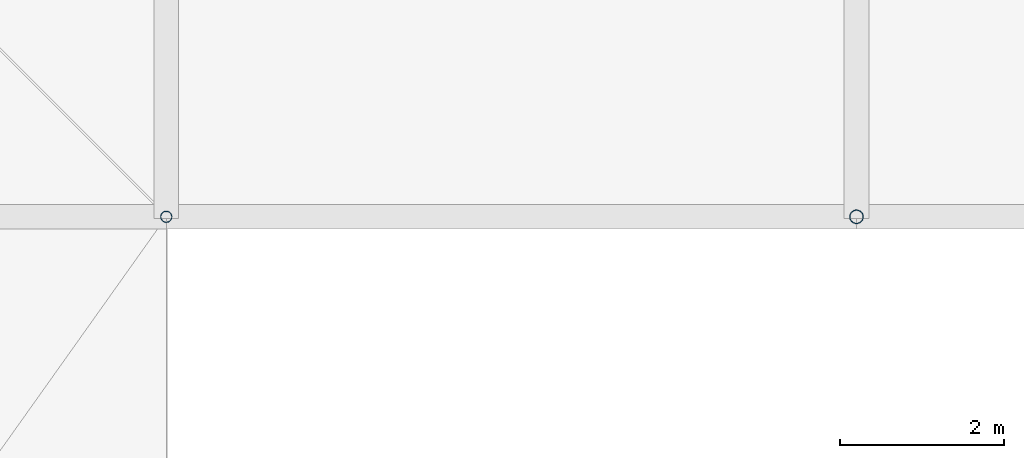
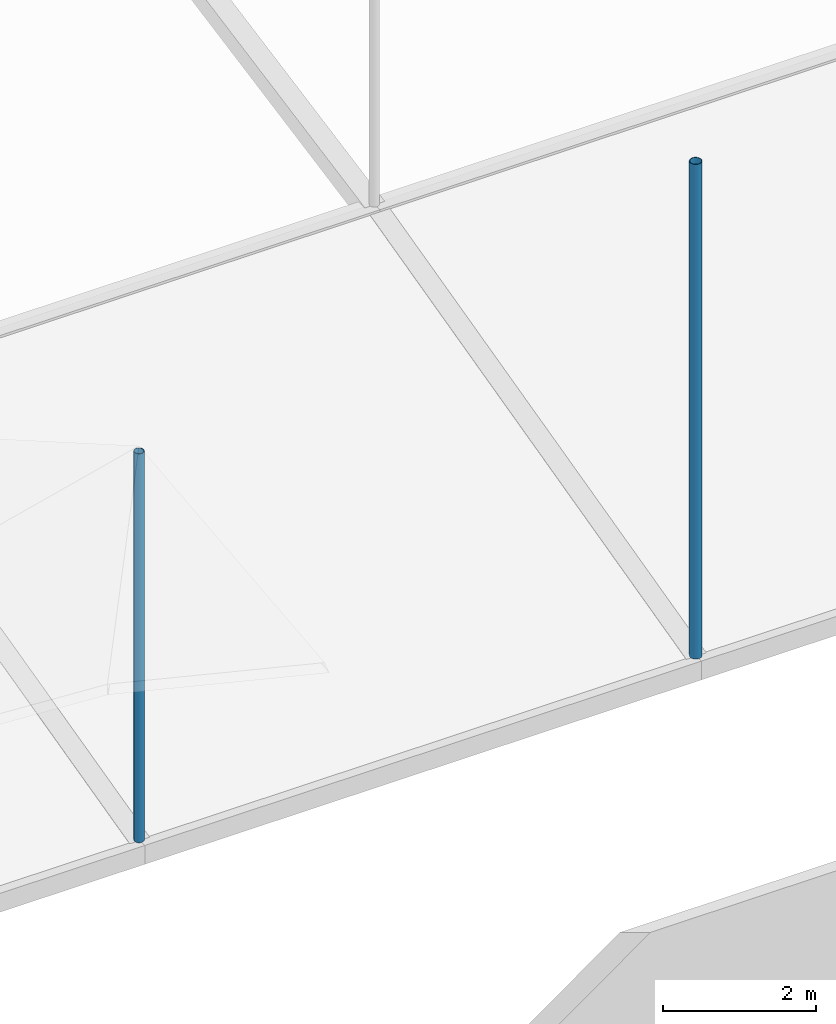
# One storey, part 27 of 111: 2 discrete accessories.
"""IFC4 building model written with IfcOpenShell, lengths in metres."""

from ifc_helpers import new_model, si_unit, direction, frame, origin, origin_2d, place, context, subcontext, project, spatial, hollow_circle, extrude, material, material_profile, profile_set, type_object, element, save


model = new_model("IFC4")

# Units and contexts
model_context = context("Model", 3, precision=1e-05, world=origin(), true_north=direction((0.0, 1.0)))
body_context = subcontext(model_context, "Body", "Model", "MODEL_VIEW")
ifc_project = project(units=[si_unit("LENGTHUNIT", "METRE"), si_unit("AREAUNIT", "SQUARE_METRE"), si_unit("VOLUMEUNIT", "CUBIC_METRE"), si_unit("PLANEANGLEUNIT", "RADIAN"), si_unit("MASSUNIT", "GRAM", prefix="KILO")], contexts=[model_context])

# Site, building, storey
site_placement = place(None, origin())
site = spatial("IfcSite", under=ifc_project, at=site_placement, CompositionType="ELEMENT")
building_placement = place(site_placement, origin())
building = spatial("IfcBuilding", under=site, at=building_placement, Name="Rain Tree Exposition and Congress Centre", CompositionType="ELEMENT")
storey_placement = place(building_placement, frame((0.0, 0.0, 19.5)))
storey = spatial("IfcBuildingStorey", under=building, at=storey_placement, Name="RF", CompositionType="ELEMENT", Elevation=19.5)

# Discrete accessories
ifc_material_1 = material(Name="Steel S355J2H", Category="steel")
ifc_material_profile_1 = material_profile(ifc_material_1, hollow_circle(Radius=0.06982421875, WallThickness=0.0048828125, at=origin_2d()), Name="CHS 140x5")
ifc_profile_set_1 = profile_set([ifc_material_profile_1], Name="Steel S355J2H")
discrete_accessory_type_1 = type_object("IfcDiscreteAccessoryType", Name="Roof skin post CHS 140x5", PredefinedType="BRACKET", material=ifc_profile_set_1)
discrete_accessory_1_placement = place(storey_placement, frame((50.39990234375, 109.199951171875, 1.11669921875), z_axis=(0.0, 0.0, 1.0), x_axis=(1.0, 0.0, 0.0)))
element("IfcDiscreteAccessory", 1, at=discrete_accessory_1_placement, inside=storey, type_object=discrete_accessory_type_1, Name="Roof skin post A21", PredefinedType="BRACKET", context=body_context, shape_type="SweptSolid", body=[
    extrude(hollow_circle(Radius=0.06982421875, WallThickness=0.0048828125, at=origin_2d()), origin(), (0.0, 0.0, 1.0), 6.205322265625),
])
ifc_material_2 = material(Name="Steel S355J2H", Category="steel")
ifc_material_profile_2 = material_profile(ifc_material_2, hollow_circle(Radius=0.084228515625, WallThickness=0.006103515625, at=origin_2d()), Name="CHS 168x6")
ifc_profile_set_2 = profile_set([ifc_material_profile_2], Name="Steel S355J2H")
discrete_accessory_type_2 = type_object("IfcDiscreteAccessoryType", Name="Roof skin post CHS 168x6", PredefinedType="BRACKET", material=ifc_profile_set_2)
discrete_accessory_2_placement = place(storey_placement, frame((58.800048828125, 109.199951171875, 1.11669921875), z_axis=(0.0, 0.0, 1.0), x_axis=(1.0, 0.0, 0.0)))
element("IfcDiscreteAccessory", 2, at=discrete_accessory_2_placement, inside=storey, type_object=discrete_accessory_type_2, Name="Roof skin post A22", PredefinedType="BRACKET", context=body_context, shape_type="SweptSolid", body=[
    extrude(hollow_circle(Radius=0.084228515625, WallThickness=0.006103515625, at=origin_2d()), origin(), (0.0, 0.0, 1.0), 7.89111328125),
])

save(model, "model.ifc")
